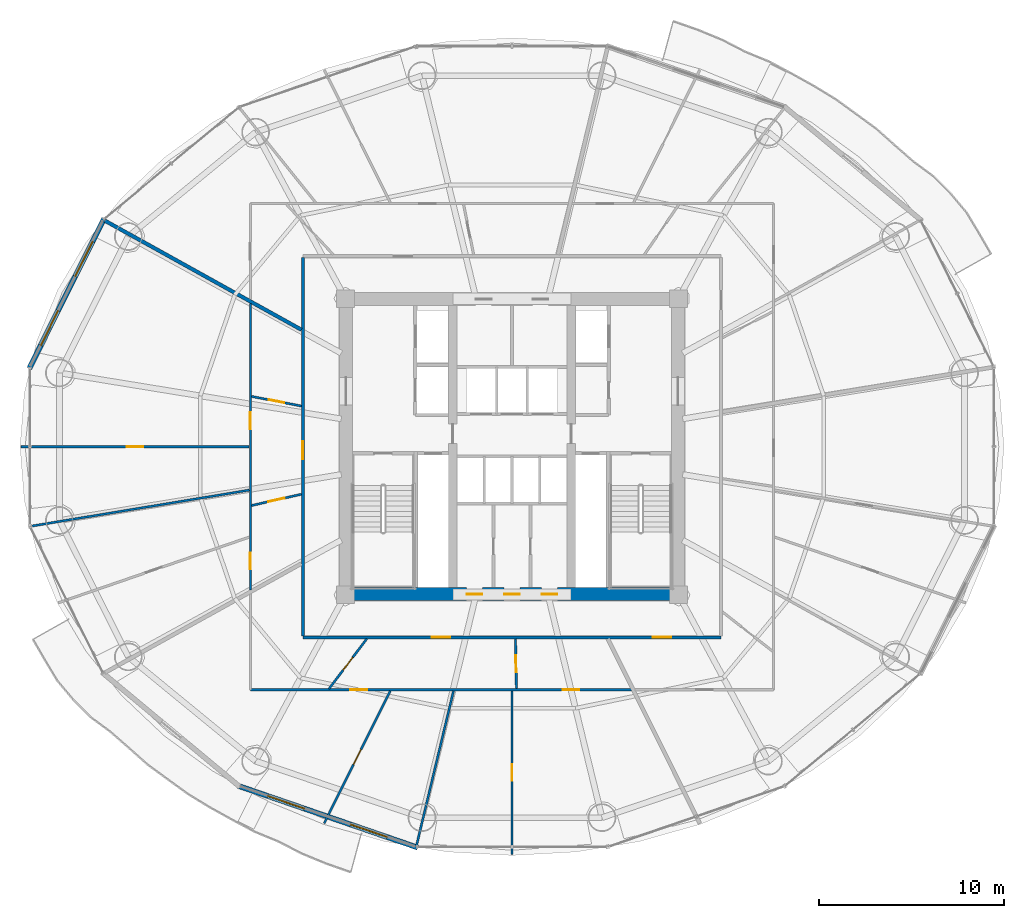
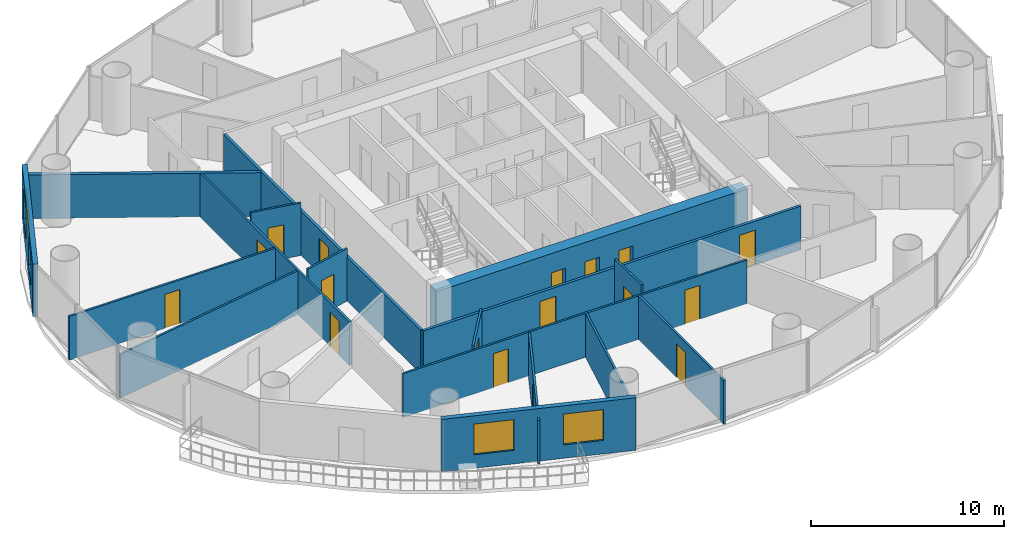
# One storey, part 21 of 28: 17 doors, 17 walls, 4 windows, 21 openings.
"""IFC4 building model written with IfcOpenShell, lengths in metres."""

from ifc_helpers import new_model, si_unit, direction, frame, frame_2d, origin, place, context, subcontext, project, spatial, rectangle, extrude, source, transform, mapped, material, layer, layer_set, type_object, element, fill, save


model = new_model("IFC4")

# Units and contexts
model_context = context("Model", 3, precision=1e-05, world=origin(), true_north=direction((-0.2419218956, 0.970295726276)))
body_context = subcontext(model_context, "Body", "Model", "MODEL_VIEW")
ifc_project = project(units=[si_unit("LENGTHUNIT", "METRE"), si_unit("AREAUNIT", "SQUARE_METRE"), si_unit("VOLUMEUNIT", "CUBIC_METRE"), si_unit("PLANEANGLEUNIT", "RADIAN"), si_unit("MASSUNIT", "GRAM", prefix="KILO")], contexts=[model_context])

# Site, building, storey
site_placement = place(None, origin())
site = spatial("IfcSite", under=ifc_project, at=site_placement, CompositionType="ELEMENT")
building_placement = place(site_placement, origin())
building = spatial("IfcBuilding", under=site, at=building_placement, Name="Cobrevalo Terracotta Tower", CompositionType="ELEMENT")
storey_placement = place(building_placement, frame((0.0, 0.0, 101.39990234375)))
storey = spatial("IfcBuildingStorey", under=building, at=storey_placement, Name="L26", CompositionType="ELEMENT", Elevation=101.39990234375)

# Wall, openings, doors
ifc_material_1 = material(Name="Concrete C60", Category="concrete")
ifc_layer_1 = layer(ifc_material_1, 0.699951171875)
ifc_layer_set_1 = layer_set([ifc_layer_1], Name="Concrete C60")
wall_type_1 = type_object("IfcWallType", Name="Core shear wall 700 mm Concrete C60", PredefinedType="SHEAR", material=ifc_layer_set_1)
wall_1_placement = place(storey_placement, frame((28.675048828125, 18.824951171875, 0.0), z_axis=(0.0, 0.0, 1.0), x_axis=(1.0, 0.0, 0.0)))
wall_1 = element("IfcWall", 1, at=wall_1_placement, inside=storey, type_object=wall_type_1, Name="L26 south core shear wall", PredefinedType="SHEAR", context=body_context, shape_type="SweptSolid", body=[
    extrude(rectangle(XDim=18.64990234375, YDim=0.699951171875, at=frame_2d((9.324951171875, 0.0))), origin(), (0.0, 0.0, 1.0), 3.3251953125),
])
opening_1_placement = place(wall_1_placement, frame((6.87744140625, 0.0, 0.0)))
opening_1 = element("IfcOpeningElement", 2, at=opening_1_placement, cuts=wall_1, Name="Opening ID-22", PredefinedType="OPENING", context=body_context, shape_type="SweptSolid", body=[
    extrude(rectangle(XDim=0.85009765625, YDim=2.10009765625, at=frame_2d((0.425048828125, 1.050048828125))), frame((0.0, 0.35986328125, 0.0), z_axis=(0.0, -1.0, 0.0), x_axis=(1.0, 0.0, 0.0)), (0.0, 0.0, 1.0), 0.719970703125),
])
opening_2_placement = place(wall_1_placement, frame((8.89990234375, 0.0, 0.0)))
opening_2 = element("IfcOpeningElement", 3, at=opening_2_placement, cuts=wall_1, Name="Opening ID-22", PredefinedType="OPENING", context=body_context, shape_type="SweptSolid", body=[
    extrude(rectangle(XDim=0.85009765625, YDim=2.10009765625, at=frame_2d((0.425048828125, 1.050048828125))), frame((0.0, 0.35986328125, 0.0), z_axis=(0.0, -1.0, 0.0), x_axis=(1.0, 0.0, 0.0)), (0.0, 0.0, 1.0), 0.719970703125),
])
opening_3_placement = place(wall_1_placement, frame((10.922607421875, 0.0, 0.0)))
opening_3 = element("IfcOpeningElement", 4, at=opening_3_placement, cuts=wall_1, Name="Opening ID-22", PredefinedType="OPENING", context=body_context, shape_type="SweptSolid", body=[
    extrude(rectangle(XDim=0.85009765625, YDim=2.10009765625, at=frame_2d((0.425048828125, 1.050048828125))), frame((0.0, 0.35986328125, 0.0), z_axis=(0.0, -1.0, 0.0), x_axis=(1.0, 0.0, 0.0)), (0.0, 0.0, 1.0), 0.719970703125),
])
ifc_material_2 = material(Name="Powder-coated steel", Category="steel")
door_type_1 = type_object("IfcDoorType", Name="Riser shaft & meter closet fire access door 850x2100 EI 60", OperationType="NOTDEFINED", PredefinedType="DOOR", material=ifc_material_2)
shared_shape_1 = source(origin(), body_context, "Body", "SweptSolid", [
    extrude(rectangle(XDim=0.85009765625, YDim=2.10009765625, at=frame_2d((0.425048828125, 1.050048828125))), frame((0.0, 0.02490234375, 0.0), z_axis=(0.0, -1.0, 0.0), x_axis=(1.0, 0.0, 0.0)), (0.0, 0.0, 1.0), 0.050048828125),
])
door_1_placement = place(opening_1_placement, origin())
door_1 = element("IfcDoor", 5, at=door_1_placement, inside=storey, type_object=door_type_1, Name="L26 core south plant door HVAC Supply Air Plant", OperationType="SINGLE_SWING_RIGHT", OverallHeight=2.10009765625, OverallWidth=0.85009765625, PredefinedType="DOOR", context=body_context, shape_type="MappedRepresentation", body=[
    mapped(shared_shape_1, transform((0.0, 0.0, 0.0), scale=1.0)),
])
fill(opening_1, door_1)
door_2_placement = place(opening_2_placement, origin())
door_2 = element("IfcDoor", 6, at=door_2_placement, inside=storey, type_object=door_type_1, Name="L26 core south plant door Refuse Chute Store Room", OperationType="SINGLE_SWING_RIGHT", OverallHeight=2.10009765625, OverallWidth=0.85009765625, PredefinedType="DOOR", context=body_context, shape_type="MappedRepresentation", body=[
    mapped(shared_shape_1, transform((0.0, 0.0, 0.0), scale=1.0)),
])
fill(opening_2, door_2)
door_3_placement = place(opening_3_placement, origin())
door_3 = element("IfcDoor", 7, at=door_3_placement, inside=storey, type_object=door_type_1, Name="L26 core south plant door Hydronic Pump Manifold Plant", OperationType="SINGLE_SWING_RIGHT", OverallHeight=2.10009765625, OverallWidth=0.85009765625, PredefinedType="DOOR", context=body_context, shape_type="MappedRepresentation", body=[
    mapped(shared_shape_1, transform((0.0, 0.0, 0.0), scale=1.0)),
])
fill(opening_3, door_3)

ifc_material_3 = material(Name="Gypsum board on steel stud", Category="steel")
ifc_layer_2 = layer(ifc_material_3, 0.159912109375)
ifc_layer_set_2 = layer_set([ifc_layer_2], Name="Gypsum board on steel stud")
wall_type_2 = type_object("IfcWallType", Name="Fire-rated corridor acoustic partition wall 160 mm", PredefinedType="PARTITIONING", material=ifc_layer_set_2)
wall_2_placement = place(storey_placement, frame((26.695068359375, 16.4951171875, 0.0), z_axis=(0.0, 0.0, 1.0), x_axis=(1.0, 0.0, 0.0)))
wall_2 = element("IfcWall", 8, at=wall_2_placement, inside=storey, type_object=wall_type_2, Name="L26 interior partition IW-L26-COR-S", PredefinedType="PARTITIONING", context=body_context, shape_type="SweptSolid", body=[
    extrude(rectangle(XDim=22.60986328125, YDim=0.159912109375, at=frame_2d((11.304931640625, 0.0))), origin(), (0.0, 0.0, 1.0), 2.76708984375),
])
opening_4_placement = place(wall_2_placement, frame((6.974365234375, 0.0, 0.0)))
opening_4 = element("IfcOpeningElement", 9, at=opening_4_placement, cuts=wall_2, Name="Opening ID-05", PredefinedType="OPENING", context=body_context, shape_type="SweptSolid", body=[
    extrude(rectangle(XDim=0.97998046875, YDim=2.199951171875, at=frame_2d((0.489990234375, 1.10009765625))), frame((0.0, 0.08984375, 0.0), z_axis=(0.0, -1.0, 0.0), x_axis=(1.0, 0.0, 0.0)), (0.0, 0.0, 1.0), 0.179931640625),
])
opening_5_placement = place(wall_2_placement, frame((18.922119140625, 0.0, 0.0)))
opening_5 = element("IfcOpeningElement", 10, at=opening_5_placement, cuts=wall_2, Name="Opening ID-05", PredefinedType="OPENING", context=body_context, shape_type="SweptSolid", body=[
    extrude(rectangle(XDim=0.97998046875, YDim=2.199951171875, at=frame_2d((0.489990234375, 1.10009765625))), frame((0.0, 0.08984375, 0.0), z_axis=(0.0, -1.0, 0.0), x_axis=(1.0, 0.0, 0.0)), (0.0, 0.0, 1.0), 0.179931640625),
])
ifc_material_4 = material(Name="Solid hardwood timber", Category="wood")
door_type_2 = type_object("IfcDoorType", Name="Residence entrance fire-rated acoustic timber door 980x2200 EI 60", OperationType="NOTDEFINED", PredefinedType="DOOR", material=ifc_material_4)
shared_shape_2 = source(origin(), body_context, "Body", "SweptSolid", [
    extrude(rectangle(XDim=0.97998046875, YDim=2.199951171875, at=frame_2d((0.489990234375, 1.10009765625))), frame((0.0, 0.02490234375, 0.0), z_axis=(0.0, -1.0, 0.0), x_axis=(1.0, 0.0, 0.0)), (0.0, 0.0, 1.0), 0.050048828125),
])
door_4_placement = place(opening_4_placement, frame((0.97998046875, 0.0, 0.0), z_axis=(0.0, 0.0, 1.0), x_axis=(-1.0, 0.0, 0.0)))
door_4 = element("IfcDoor", 11, at=door_4_placement, inside=storey, type_object=door_type_2, Name="Flat L26D fire-rated apartment entrance door", OperationType="SINGLE_SWING_RIGHT", OverallHeight=2.199951171875, OverallWidth=0.97998046875, PredefinedType="DOOR", context=body_context, shape_type="MappedRepresentation", body=[
    mapped(shared_shape_2, transform((0.0, 0.0, 0.0), scale=1.0)),
])
fill(opening_4, door_4)
door_5_placement = place(opening_5_placement, frame((0.97998046875, 0.0, 0.0), z_axis=(0.0, 0.0, 1.0), x_axis=(-1.0, 0.0, 0.0)))
door_5 = element("IfcDoor", 12, at=door_5_placement, inside=storey, type_object=door_type_2, Name="Flat L26E fire-rated apartment entrance door", OperationType="SINGLE_SWING_LEFT", OverallHeight=2.199951171875, OverallWidth=0.97998046875, PredefinedType="DOOR", context=body_context, shape_type="MappedRepresentation", body=[
    mapped(shared_shape_2, transform((0.0, 0.0, 0.0), scale=1.0)),
])
fill(opening_5, door_5)

# Wall, opening, door
wall_3_placement = place(storey_placement, frame((26.695068359375, 16.574951171875, 0.0), z_axis=(0.0, 0.0, 1.0), x_axis=(0.0, 1.0, 0.0)))
wall_3 = element("IfcWall", 13, at=wall_3_placement, inside=storey, type_object=wall_type_2, Name="L26 interior partition IW-L26-COR-W", PredefinedType="PARTITIONING", context=body_context, shape_type="SweptSolid", body=[
    extrude(rectangle(XDim=20.449951171875, YDim=0.159912109375, at=frame_2d((10.22509765625, 0.0))), origin(), (0.0, 0.0, 1.0), 2.76708984375),
])
opening_6_placement = place(wall_3_placement, frame((9.54736328125, 0.0, 0.0)))
opening_6 = element("IfcOpeningElement", 14, at=opening_6_placement, cuts=wall_3, Name="Opening ID-05", PredefinedType="OPENING", context=body_context, shape_type="SweptSolid", body=[
    extrude(rectangle(XDim=0.97998046875, YDim=2.199951171875, at=frame_2d((0.489990234375, 1.10009765625))), frame((0.0, 0.08984375, 0.0), z_axis=(0.0, -1.0, 0.0), x_axis=(1.0, 0.0, 0.0)), (0.0, 0.0, 1.0), 0.179931640625),
])
door_6_placement = place(opening_6_placement, origin())
door_6 = element("IfcDoor", 15, at=door_6_placement, inside=storey, type_object=door_type_2, Name="Flat L26C fire-rated apartment entrance door", OperationType="SINGLE_SWING_LEFT", OverallHeight=2.199951171875, OverallWidth=0.97998046875, PredefinedType="DOOR", context=body_context, shape_type="MappedRepresentation", body=[
    mapped(shared_shape_2, transform((0.0, 0.0, 0.0), scale=1.0)),
])
fill(opening_6, door_6)

# Wall
ifc_material_5 = material(Name="Autoclaved aerated concrete block", Category="concrete")
ifc_layer_3 = layer(ifc_material_5, 0.199951171875)
ifc_layer_set_3 = layer_set([ifc_layer_3], Name="Autoclaved aerated concrete block")
wall_type_3 = type_object("IfcWallType", Name="Fire-rated stair, shaft & demising masonry wall 200 mm", PredefinedType="PARTITIONING", material=ifc_layer_set_3)
wall_4_placement = place(storey_placement, frame((26.614990234375, 33.120361328125, 0.0), z_axis=(0.0, 0.0, 1.0), x_axis=(-0.874319192772, 0.485351366692, 0.0)))
element("IfcWall", 16, at=wall_4_placement, inside=storey, type_object=wall_type_3, Name="L26 interior partition IW-L26-DEM-3", PredefinedType="PARTITIONING", context=body_context, shape_type="SweptSolid", body=[
    extrude(rectangle(XDim=12.158447265625, YDim=0.199951171875, at=frame_2d((6.0791015625, 0.0))), origin(), (0.0, 0.0, 1.0), 2.76708984375),
])

# Wall, openings, windows
ifc_layer_4 = layer(ifc_material_5, 0.280029296875)
ifc_layer_set_4 = layer_set([ifc_layer_4], Name="Autoclaved aerated concrete block")
wall_type_4 = type_object("IfcWallType", Name="Insulated tower spandrel & pier wall 280 mm with terracotta rainscreen", PredefinedType="SOLIDWALL", material=ifc_layer_set_4)
wall_5_placement = place(storey_placement, frame((15.943603515625, 39.133056640625, 0.0), z_axis=(0.0, 0.0, 1.0), x_axis=(-0.446263788661, -0.894901464369, 0.0)))
wall_5 = element("IfcWall", 17, at=wall_5_placement, inside=storey, type_object=wall_type_4, Name="L26 terracotta rainscreen pier wall S07", PredefinedType="SOLIDWALL", context=body_context, shape_type="SweptSolid", body=[
    extrude(rectangle(XDim=9.05029296875, YDim=0.280029296875, at=frame_2d((4.525146484375, 0.0))), origin(), (0.0, 0.0, 1.0), 3.3251953125),
])
opening_7_placement = place(wall_5_placement, frame((1.3935546875, 0.0, 0.85009765625)))
opening_7 = element("IfcOpeningElement", 18, at=opening_7_placement, cuts=wall_5, Name="Opening WN-10", PredefinedType="OPENING", context=body_context, shape_type="SweptSolid", body=[
    extrude(rectangle(XDim=2.10009765625, YDim=1.949951171875, at=frame_2d((1.050048828125, 0.97509765625))), frame((0.0, 0.14990234375, 0.0), z_axis=(0.0, -1.0, 0.0), x_axis=(1.0, 0.0, 0.0)), (0.0, 0.0, 1.0), 0.300048828125),
])
opening_8_placement = place(wall_5_placement, frame((5.556640625, 0.0, 0.85009765625)))
opening_8 = element("IfcOpeningElement", 19, at=opening_8_placement, cuts=wall_5, Name="Opening WN-10", PredefinedType="OPENING", context=body_context, shape_type="SweptSolid", body=[
    extrude(rectangle(XDim=2.10009765625, YDim=1.949951171875, at=frame_2d((1.050048828125, 0.97509765625))), frame((0.0, 0.14990234375, 0.0), z_axis=(0.0, -1.0, 0.0), x_axis=(1.0, 0.0, 0.0)), (0.0, 0.0, 1.0), 0.300048828125),
])
ifc_material_6 = material(Name="Solar-control low-E double glazing", Category="glass")
window_type = type_object("IfcWindowType", Name="Wide panoramic low-E aluminium window 2100x1950", PartitioningType="SINGLE_PANEL", PredefinedType="WINDOW", material=ifc_material_6)
shared_shape_3 = source(origin(), body_context, "Body", "SweptSolid", [
    extrude(rectangle(XDim=2.10009765625, YDim=1.949951171875, at=frame_2d((1.050048828125, 0.97509765625))), frame((0.0, 0.030029296875, 0.0), z_axis=(0.0, -1.0, 0.0), x_axis=(1.0, 0.0, 0.0)), (0.0, 0.0, 1.0), 0.06005859375),
])
window_1_placement = place(opening_7_placement, origin())
window_1 = element("IfcWindow", 20, at=window_1_placement, inside=storey, type_object=window_type, Name="L26 suite window S07A", OverallHeight=1.949951171875, OverallWidth=2.10009765625, PartitioningType="SINGLE_PANEL", PredefinedType="WINDOW", context=body_context, shape_type="MappedRepresentation", body=[
    mapped(shared_shape_3, transform((0.0, 0.0, 0.0), scale=1.0)),
])
fill(opening_7, window_1)
window_2_placement = place(opening_8_placement, origin())
window_2 = element("IfcWindow", 21, at=window_2_placement, inside=storey, type_object=window_type, Name="L26 suite window S07B", OverallHeight=1.949951171875, OverallWidth=2.10009765625, PartitioningType="SINGLE_PANEL", PredefinedType="WINDOW", context=body_context, shape_type="MappedRepresentation", body=[
    mapped(shared_shape_3, transform((0.0, 0.0, 0.0), scale=1.0)),
])
fill(opening_8, window_2)

wall_6_placement = place(storey_placement, frame((23.162841796875, 8.4755859375, 0.0), z_axis=(0.0, 0.0, 1.0), x_axis=(0.945590132341, -0.325360264351, 0.0)))
wall_6 = element("IfcWall", 22, at=wall_6_placement, inside=storey, type_object=wall_type_4, Name="L26 terracotta rainscreen pier wall S11", PredefinedType="SOLIDWALL", context=body_context, shape_type="SweptSolid", body=[
    extrude(rectangle(XDim=10.2890625, YDim=0.280029296875, at=frame_2d((5.14453125, 0.0))), origin(), (0.0, 0.0, 1.0), 3.3251953125),
])
opening_9_placement = place(wall_6_placement, frame((1.72802734375, 0.0, 0.85009765625)))
opening_9 = element("IfcOpeningElement", 23, at=opening_9_placement, cuts=wall_6, Name="Opening WN-10", PredefinedType="OPENING", context=body_context, shape_type="SweptSolid", body=[
    extrude(rectangle(XDim=2.10009765625, YDim=1.949951171875, at=frame_2d((1.050048828125, 0.97509765625))), frame((0.0, 0.14990234375, 0.0), z_axis=(0.0, -1.0, 0.0), x_axis=(1.0, 0.0, 0.0)), (0.0, 0.0, 1.0), 0.300048828125),
])
opening_10_placement = place(wall_6_placement, frame((6.4609375, 0.0, 0.85009765625)))
opening_10 = element("IfcOpeningElement", 24, at=opening_10_placement, cuts=wall_6, Name="Opening WN-10", PredefinedType="OPENING", context=body_context, shape_type="SweptSolid", body=[
    extrude(rectangle(XDim=2.10009765625, YDim=1.949951171875, at=frame_2d((1.050048828125, 0.97509765625))), frame((0.0, 0.14990234375, 0.0), z_axis=(0.0, -1.0, 0.0), x_axis=(1.0, 0.0, 0.0)), (0.0, 0.0, 1.0), 0.300048828125),
])
window_3_placement = place(opening_9_placement, origin())
window_3 = element("IfcWindow", 25, at=window_3_placement, inside=storey, type_object=window_type, Name="L26 suite window S11A", OverallHeight=1.949951171875, OverallWidth=2.10009765625, PartitioningType="SINGLE_PANEL", PredefinedType="WINDOW", context=body_context, shape_type="MappedRepresentation", body=[
    mapped(shared_shape_3, transform((0.0, 0.0, 0.0), scale=1.0)),
])
fill(opening_9, window_3)
window_4_placement = place(opening_10_placement, origin())
window_4 = element("IfcWindow", 26, at=window_4_placement, inside=storey, type_object=window_type, Name="L26 suite window S11B", OverallHeight=1.949951171875, OverallWidth=2.10009765625, PartitioningType="SINGLE_PANEL", PredefinedType="WINDOW", context=body_context, shape_type="MappedRepresentation", body=[
    mapped(shared_shape_3, transform((0.0, 0.0, 0.0), scale=1.0)),
])
fill(opening_10, window_4)

# Wall, openings, doors
ifc_layer_5 = layer(ifc_material_3, 0.1201171875)
ifc_layer_set_5 = layer_set([ifc_layer_5], Name="Gypsum board on steel stud")
wall_type_5 = type_object("IfcWallType", Name="Residential internal acoustic stud partition 120 mm", PredefinedType="PARTITIONING", material=ifc_layer_set_5)
wall_7_placement = place(storey_placement, frame((23.85498046875, 19.049560546875, 0.0), z_axis=(0.0, 0.0, 1.0), x_axis=(0.0, 1.0, 0.0)))
wall_7 = element("IfcWall", 27, at=wall_7_placement, inside=storey, type_object=wall_type_5, Name="L26 interior partition IW-L26-U3-RING0_0", PredefinedType="PARTITIONING", context=body_context, shape_type="SweptSolid", body=[
    extrude(rectangle(XDim=15.5009765625, YDim=0.1201171875, at=frame_2d((7.75048828125, 0.0))), origin(), (0.0, 0.0, 1.0), 2.76708984375),
])
opening_11_placement = place(wall_7_placement, frame((8.704833984375, 0.0, 0.0)))
opening_11 = element("IfcOpeningElement", 28, at=opening_11_placement, cuts=wall_7, Name="Opening ID-12", PredefinedType="OPENING", context=body_context, shape_type="SweptSolid", body=[
    extrude(rectangle(XDim=0.89990234375, YDim=2.14990234375, at=frame_2d((0.449951171875, 1.074951171875))), frame((0.0, 0.070068359375, 0.0), z_axis=(0.0, -1.0, 0.0), x_axis=(1.0, 0.0, 0.0)), (0.0, 0.0, 1.0), 0.14013671875),
])
opening_12_placement = place(wall_7_placement, frame((1.111083984375, 0.0, 0.0)))
opening_12 = element("IfcOpeningElement", 29, at=opening_12_placement, cuts=wall_7, Name="Opening ID-12", PredefinedType="OPENING", context=body_context, shape_type="SweptSolid", body=[
    extrude(rectangle(XDim=0.89990234375, YDim=2.14990234375, at=frame_2d((0.449951171875, 1.074951171875))), frame((0.0, 0.070068359375, 0.0), z_axis=(0.0, -1.0, 0.0), x_axis=(1.0, 0.0, 0.0)), (0.0, 0.0, 1.0), 0.14013671875),
])
ifc_material_7 = material(Name="Engineered timber", Category="wood")
door_type_3 = type_object("IfcDoorType", Name="Internal residence & suite timber door 900x2150", OperationType="NOTDEFINED", PredefinedType="DOOR", material=ifc_material_7)
shared_shape_4 = source(origin(), body_context, "Body", "SweptSolid", [
    extrude(rectangle(XDim=0.89990234375, YDim=2.14990234375, at=frame_2d((0.449951171875, 1.074951171875))), frame((0.0, 0.02490234375, 0.0), z_axis=(0.0, -1.0, 0.0), x_axis=(1.0, 0.0, 0.0)), (0.0, 0.0, 1.0), 0.050048828125),
])
door_7_placement = place(opening_11_placement, origin())
door_7 = element("IfcDoor", 30, at=door_7_placement, inside=storey, type_object=door_type_3, Name="Flat L26C Penthouse Living and Dining Room internal door", OperationType="SINGLE_SWING_LEFT", OverallHeight=2.14990234375, OverallWidth=0.89990234375, PredefinedType="DOOR", context=body_context, shape_type="MappedRepresentation", body=[
    mapped(shared_shape_4, transform((0.0, 0.0, 0.0), scale=1.0)),
])
fill(opening_11, door_7)
door_8_placement = place(opening_12_placement, origin())
door_8 = element("IfcDoor", 31, at=door_8_placement, inside=storey, type_object=door_type_3, Name="Flat L26C Penthouse Family Lounge internal door", OperationType="SINGLE_SWING_LEFT", OverallHeight=2.14990234375, OverallWidth=0.89990234375, PredefinedType="DOOR", context=body_context, shape_type="MappedRepresentation", body=[
    mapped(shared_shape_4, transform((0.0, 0.0, 0.0), scale=1.0)),
])
fill(opening_12, door_8)

# Wall, opening, door
wall_8_placement = place(storey_placement, frame((23.79296875, 26.800048828125, 0.0), z_axis=(0.0, 0.0, 1.0), x_axis=(-1.0, 0.0, 0.0)))
wall_8 = element("IfcWall", 32, at=wall_8_placement, inside=storey, type_object=wall_type_5, Name="L26 interior partition IW-L26-U3-ORAD1", PredefinedType="PARTITIONING", context=body_context, shape_type="SweptSolid", body=[
    extrude(rectangle(XDim=12.3330078125, YDim=0.1201171875, at=frame_2d((6.16650390625, 0.0))), origin(), (0.0, 0.0, 1.0), 2.76708984375),
])
opening_13_placement = place(wall_8_placement, frame((5.716552734375, 0.0, 0.0)))
opening_13 = element("IfcOpeningElement", 33, at=opening_13_placement, cuts=wall_8, Name="Opening ID-12", PredefinedType="OPENING", context=body_context, shape_type="SweptSolid", body=[
    extrude(rectangle(XDim=0.89990234375, YDim=2.14990234375, at=frame_2d((0.449951171875, 1.074951171875))), frame((0.0, 0.070068359375, 0.0), z_axis=(0.0, -1.0, 0.0), x_axis=(1.0, 0.0, 0.0)), (0.0, 0.0, 1.0), 0.14013671875),
])
door_9_placement = place(opening_13_placement, origin())
door_9 = element("IfcDoor", 34, at=door_9_placement, inside=storey, type_object=door_type_3, Name="Flat L26C Master Bedroom internal door", OperationType="SINGLE_SWING_RIGHT", OverallHeight=2.14990234375, OverallWidth=0.89990234375, PredefinedType="DOOR", context=body_context, shape_type="MappedRepresentation", body=[
    mapped(shared_shape_4, transform((0.0, 0.0, 0.0), scale=1.0)),
])
fill(opening_13, door_9)

# Wall
wall_9_placement = place(storey_placement, frame((23.7939453125, 24.4521484375, 0.0), z_axis=(0.0, 0.0, 1.0), x_axis=(-0.986620350945, -0.163034607068, 0.0)))
element("IfcWall", 35, at=wall_9_placement, inside=storey, type_object=wall_type_5, Name="L26 interior partition IW-L26-U3-ORAD2", PredefinedType="PARTITIONING", context=body_context, shape_type="SweptSolid", body=[
    extrude(rectangle(XDim=11.927490234375, YDim=0.1201171875, at=frame_2d((5.9638671875, 0.0))), origin(), (0.0, 0.0, 1.0), 2.76708984375),
])

# Wall, opening, door
wall_10_placement = place(storey_placement, frame((26.614990234375, 28.996337890625, 0.0), z_axis=(0.0, 0.0, 1.0), x_axis=(-0.98189351628, 0.18943368942, 0.0)))
wall_10 = element("IfcWall", 36, at=wall_10_placement, inside=storey, type_object=wall_type_5, Name="L26 interior partition IW-L26-U3-IRAD1", PredefinedType="PARTITIONING", context=body_context, shape_type="SweptSolid", body=[
    extrude(rectangle(XDim=2.7490234375, YDim=0.1201171875, at=frame_2d((1.37451171875, 0.0))), origin(), (0.0, 0.0, 1.0), 3.3251953125),
])
opening_14_placement = place(wall_10_placement, frame((0.9443359375, 0.0, 0.0)))
opening_14 = element("IfcOpeningElement", 37, at=opening_14_placement, cuts=wall_10, Name="Opening ID-19", PredefinedType="OPENING", context=body_context, shape_type="SweptSolid", body=[
    extrude(rectangle(XDim=0.860107421875, YDim=2.14990234375, at=frame_2d((0.43017578125, 1.074951171875))), frame((0.0, 0.070068359375, 0.0), z_axis=(0.0, -1.0, 0.0), x_axis=(1.0, 0.0, 0.0)), (0.0, 0.0, 1.0), 0.14013671875),
])
ifc_material_8 = material(Name="Moisture-sealed timber", Category="wood")
door_type_4 = type_object("IfcDoorType", Name="Suite bathroom internal timber door 860x2150", OperationType="NOTDEFINED", PredefinedType="DOOR", material=ifc_material_8)
shared_shape_5 = source(origin(), body_context, "Body", "SweptSolid", [
    extrude(rectangle(XDim=0.860107421875, YDim=2.14990234375, at=frame_2d((0.43017578125, 1.074951171875))), frame((0.0, 0.02490234375, 0.0), z_axis=(0.0, -1.0, 0.0), x_axis=(1.0, 0.0, 0.0)), (0.0, 0.0, 1.0), 0.050048828125),
])
door_10_placement = place(opening_14_placement, frame((0.860107421875, 0.0, 0.0), z_axis=(0.0, 0.0, 1.0), x_axis=(-1.0, 0.0, 0.0)))
door_10 = element("IfcDoor", 38, at=door_10_placement, inside=storey, type_object=door_type_4, Name="Flat L26C Primary Bathroom internal door", OperationType="SINGLE_SWING_RIGHT", OverallHeight=2.14990234375, OverallWidth=0.860107421875, PredefinedType="DOOR", context=body_context, shape_type="MappedRepresentation", body=[
    mapped(shared_shape_5, transform((0.0, 0.0, 0.0), scale=1.0)),
])
fill(opening_14, door_10)

wall_11_placement = place(storey_placement, frame((26.614990234375, 24.22802734375, 0.0), z_axis=(0.0, 0.0, 1.0), x_axis=(-0.975417151515, -0.220366468706, 0.0)))
wall_11 = element("IfcWall", 39, at=wall_11_placement, inside=storey, type_object=wall_type_5, Name="L26 interior partition IW-L26-U3-IRAD2", PredefinedType="PARTITIONING", context=body_context, shape_type="SweptSolid", body=[
    extrude(rectangle(XDim=2.767578125, YDim=0.1201171875, at=frame_2d((1.3837890625, 0.0))), origin(), (0.0, 0.0, 1.0), 3.3251953125),
])
opening_15_placement = place(wall_11_placement, frame((0.933837890625, 0.0, 0.0)))
opening_15 = element("IfcOpeningElement", 40, at=opening_15_placement, cuts=wall_11, Name="Opening ID-12", PredefinedType="OPENING", context=body_context, shape_type="SweptSolid", body=[
    extrude(rectangle(XDim=0.89990234375, YDim=2.14990234375, at=frame_2d((0.449951171875, 1.074951171875))), frame((0.0, 0.070068359375, 0.0), z_axis=(0.0, -1.0, 0.0), x_axis=(1.0, 0.0, 0.0)), (0.0, 0.0, 1.0), 0.14013671875),
])
door_11_placement = place(opening_15_placement, origin())
door_11 = element("IfcDoor", 41, at=door_11_placement, inside=storey, type_object=door_type_3, Name="Flat L26C Kitchen internal door", OperationType="SINGLE_SWING_RIGHT", OverallHeight=2.14990234375, OverallWidth=0.89990234375, PredefinedType="DOOR", context=body_context, shape_type="MappedRepresentation", body=[
    mapped(shared_shape_4, transform((0.0, 0.0, 0.0), scale=1.0)),
])
fill(opening_15, door_11)

# Wall, openings, doors
wall_12_placement = place(storey_placement, frame((44.451416015625, 13.655029296875, 0.0), z_axis=(0.0, 0.0, 1.0), x_axis=(-1.0, 0.0, 0.0)))
wall_12 = element("IfcWall", 42, at=wall_12_placement, inside=storey, type_object=wall_type_5, Name="L26 interior partition IW-L26-U4-RING0_0", PredefinedType="PARTITIONING", context=body_context, shape_type="SweptSolid", body=[
    extrude(rectangle(XDim=20.596435546875, YDim=0.1201171875, at=frame_2d((10.29833984375, 0.0))), origin(), (0.0, 0.0, 1.0), 2.76708984375),
])
opening_16_placement = place(wall_12_placement, frame((14.28564453125, 0.0, 0.0)))
opening_16 = element("IfcOpeningElement", 43, at=opening_16_placement, cuts=wall_12, Name="Opening ID-12", PredefinedType="OPENING", context=body_context, shape_type="SweptSolid", body=[
    extrude(rectangle(XDim=0.89990234375, YDim=2.14990234375, at=frame_2d((0.449951171875, 1.074951171875))), frame((0.0, 0.070068359375, 0.0), z_axis=(0.0, -1.0, 0.0), x_axis=(1.0, 0.0, 0.0)), (0.0, 0.0, 1.0), 0.14013671875),
])
opening_17_placement = place(wall_12_placement, frame((2.8154296875, 0.0, 0.0)))
opening_17 = element("IfcOpeningElement", 44, at=opening_17_placement, cuts=wall_12, Name="Opening ID-12", PredefinedType="OPENING", context=body_context, shape_type="SweptSolid", body=[
    extrude(rectangle(XDim=0.89990234375, YDim=2.14990234375, at=frame_2d((0.449951171875, 1.074951171875))), frame((0.0, 0.070068359375, 0.0), z_axis=(0.0, -1.0, 0.0), x_axis=(1.0, 0.0, 0.0)), (0.0, 0.0, 1.0), 0.14013671875),
])
door_12_placement = place(opening_16_placement, origin())
door_12 = element("IfcDoor", 45, at=door_12_placement, inside=storey, type_object=door_type_3, Name="Flat L26D Living and Dining Room internal door", OperationType="SINGLE_SWING_RIGHT", OverallHeight=2.14990234375, OverallWidth=0.89990234375, PredefinedType="DOOR", context=body_context, shape_type="MappedRepresentation", body=[
    mapped(shared_shape_4, transform((0.0, 0.0, 0.0), scale=1.0)),
])
fill(opening_16, door_12)
door_13_placement = place(opening_17_placement, origin())
door_13 = element("IfcDoor", 46, at=door_13_placement, inside=storey, type_object=door_type_3, Name="Flat L26D Penthouse Family Lounge internal door", OperationType="SINGLE_SWING_RIGHT", OverallHeight=2.14990234375, OverallWidth=0.89990234375, PredefinedType="DOOR", context=body_context, shape_type="MappedRepresentation", body=[
    mapped(shared_shape_4, transform((0.0, 0.0, 0.0), scale=1.0)),
])
fill(opening_17, door_13)

# Wall, opening, door
wall_13_placement = place(storey_placement, frame((31.4189453125, 13.599609375, 0.0), z_axis=(0.0, 0.0, 1.0), x_axis=(-0.446188142997, -0.894939182877, 0.0)))
wall_13 = element("IfcWall", 47, at=wall_13_placement, inside=storey, type_object=wall_type_5, Name="L26 interior partition IW-L26-U4-ORAD1", PredefinedType="PARTITIONING", context=body_context, shape_type="SweptSolid", body=[
    extrude(rectangle(XDim=8.001708984375, YDim=0.1201171875, at=frame_2d((4.0009765625, 0.0))), origin(), (0.0, 0.0, 1.0), 2.76708984375),
])
opening_18_placement = place(wall_13_placement, frame((3.55078125, 0.0, 0.0)))
opening_18 = element("IfcOpeningElement", 48, at=opening_18_placement, cuts=wall_13, Name="Opening ID-12", PredefinedType="OPENING", context=body_context, shape_type="SweptSolid", body=[
    extrude(rectangle(XDim=0.89990234375, YDim=2.14990234375, at=frame_2d((0.449951171875, 1.074951171875))), frame((0.0, 0.070068359375, 0.0), z_axis=(0.0, -1.0, 0.0), x_axis=(1.0, 0.0, 0.0)), (0.0, 0.0, 1.0), 0.14013671875),
])
door_14_placement = place(opening_18_placement, origin())
door_14 = element("IfcDoor", 49, at=door_14_placement, inside=storey, type_object=door_type_3, Name="Flat L26D Master Bedroom internal door", OperationType="SINGLE_SWING_LEFT", OverallHeight=2.14990234375, OverallWidth=0.89990234375, PredefinedType="DOOR", context=body_context, shape_type="MappedRepresentation", body=[
    mapped(shared_shape_4, transform((0.0, 0.0, 0.0), scale=1.0)),
])
fill(opening_18, door_14)

# Wall
wall_14_placement = place(storey_placement, frame((34.83837890625, 13.5947265625, 0.0), z_axis=(0.0, 0.0, 1.0), x_axis=(-0.232820082337, -0.972519824611, 0.0)))
element("IfcWall", 50, at=wall_14_placement, inside=storey, type_object=wall_type_5, Name="L26 interior partition IW-L26-U4-ORAD2M1", PredefinedType="PARTITIONING", context=body_context, shape_type="SweptSolid", body=[
    extrude(rectangle(XDim=8.601806640625, YDim=0.1201171875, at=frame_2d((4.30078125, 0.0))), origin(), (0.0, 0.0, 1.0), 2.76708984375),
])

# Wall, opening, door
wall_15_placement = place(storey_placement, frame((38.0, 13.593017578125, 0.0), z_axis=(0.0, 0.0, 1.0), x_axis=(0.0, -1.0, 0.0)))
wall_15 = element("IfcWall", 51, at=wall_15_placement, inside=storey, type_object=wall_type_5, Name="L26 interior partition IW-L26-U4-ORAD2", PredefinedType="PARTITIONING", context=body_context, shape_type="SweptSolid", body=[
    extrude(rectangle(XDim=8.8330078125, YDim=0.1201171875, at=frame_2d((4.41650390625, 0.0))), origin(), (0.0, 0.0, 1.0), 2.76708984375),
])
opening_19_placement = place(wall_15_placement, frame((3.966552734375, 0.0, 0.0)))
opening_19 = element("IfcOpeningElement", 52, at=opening_19_placement, cuts=wall_15, Name="Opening ID-12", PredefinedType="OPENING", context=body_context, shape_type="SweptSolid", body=[
    extrude(rectangle(XDim=0.89990234375, YDim=2.14990234375, at=frame_2d((0.449951171875, 1.074951171875))), frame((0.0, 0.070068359375, 0.0), z_axis=(0.0, -1.0, 0.0), x_axis=(1.0, 0.0, 0.0)), (0.0, 0.0, 1.0), 0.14013671875),
])
door_15_placement = place(opening_19_placement, frame((0.89990234375, 0.0, 0.0), z_axis=(0.0, 0.0, 1.0), x_axis=(-1.0, 0.0, 0.0)))
door_15 = element("IfcDoor", 53, at=door_15_placement, inside=storey, type_object=door_type_3, Name="Flat L26D Principal Guest Bedroom internal door", OperationType="SINGLE_SWING_RIGHT", OverallHeight=2.14990234375, OverallWidth=0.89990234375, PredefinedType="DOOR", context=body_context, shape_type="MappedRepresentation", body=[
    mapped(shared_shape_4, transform((0.0, 0.0, 0.0), scale=1.0)),
])
fill(opening_19, door_15)

wall_16_placement = place(storey_placement, frame((30.151123046875, 16.4150390625, 0.0), z_axis=(0.0, 0.0, 1.0), x_axis=(-0.602927617913, -0.79779589342, 0.0)))
wall_16 = element("IfcWall", 54, at=wall_16_placement, inside=storey, type_object=wall_type_5, Name="L26 interior partition IW-L26-U4-IRAD1", PredefinedType="PARTITIONING", context=body_context, shape_type="SweptSolid", body=[
    extrude(rectangle(XDim=3.397705078125, YDim=0.1201171875, at=frame_2d((1.69873046875, 0.0))), origin(), (0.0, 0.0, 1.0), 3.004150390625),
])
opening_20_placement = place(wall_16_placement, frame((1.268798828125, 0.0, 0.0)))
opening_20 = element("IfcOpeningElement", 55, at=opening_20_placement, cuts=wall_16, Name="Opening ID-19", PredefinedType="OPENING", context=body_context, shape_type="SweptSolid", body=[
    extrude(rectangle(XDim=0.860107421875, YDim=2.14990234375, at=frame_2d((0.43017578125, 1.074951171875))), frame((0.0, 0.070068359375, 0.0), z_axis=(0.0, -1.0, 0.0), x_axis=(1.0, 0.0, 0.0)), (0.0, 0.0, 1.0), 0.14013671875),
])
door_16_placement = place(opening_20_placement, frame((0.860107421875, 0.0, 0.0), z_axis=(0.0, 0.0, 1.0), x_axis=(-1.0, 0.0, 0.0)))
door_16 = element("IfcDoor", 56, at=door_16_placement, inside=storey, type_object=door_type_4, Name="Flat L26D Primary Bathroom internal door", OperationType="SINGLE_SWING_LEFT", OverallHeight=2.14990234375, OverallWidth=0.860107421875, PredefinedType="DOOR", context=body_context, shape_type="MappedRepresentation", body=[
    mapped(shared_shape_5, transform((0.0, 0.0, 0.0), scale=1.0)),
])
fill(opening_20, door_16)

wall_17_placement = place(storey_placement, frame((38.190185546875, 16.4150390625, 0.0), z_axis=(0.0, 0.0, 1.0), x_axis=(0.018275835903, -0.999832982964, 0.0)))
wall_17 = element("IfcWall", 57, at=wall_17_placement, inside=storey, type_object=wall_type_5, Name="L26 interior partition IW-L26-U4-IRAD2", PredefinedType="PARTITIONING", context=body_context, shape_type="SweptSolid", body=[
    extrude(rectangle(XDim=2.698486328125, YDim=0.1201171875, at=frame_2d((1.34912109375, 0.0))), origin(), (0.0, 0.0, 1.0), 3.3251953125),
])
opening_21_placement = place(wall_17_placement, frame((0.899169921875, 0.0, 0.0)))
opening_21 = element("IfcOpeningElement", 58, at=opening_21_placement, cuts=wall_17, Name="Opening ID-12", PredefinedType="OPENING", context=body_context, shape_type="SweptSolid", body=[
    extrude(rectangle(XDim=0.89990234375, YDim=2.14990234375, at=frame_2d((0.449951171875, 1.074951171875))), frame((0.0, 0.070068359375, 0.0), z_axis=(0.0, -1.0, 0.0), x_axis=(1.0, 0.0, 0.0)), (0.0, 0.0, 1.0), 0.14013671875),
])
door_17_placement = place(opening_21_placement, origin())
door_17 = element("IfcDoor", 59, at=door_17_placement, inside=storey, type_object=door_type_3, Name="Flat L26D Kitchen internal door", OperationType="SINGLE_SWING_LEFT", OverallHeight=2.14990234375, OverallWidth=0.89990234375, PredefinedType="DOOR", context=body_context, shape_type="MappedRepresentation", body=[
    mapped(shared_shape_4, transform((0.0, 0.0, 0.0), scale=1.0)),
])
fill(opening_21, door_17)

save(model, "model.ifc")
